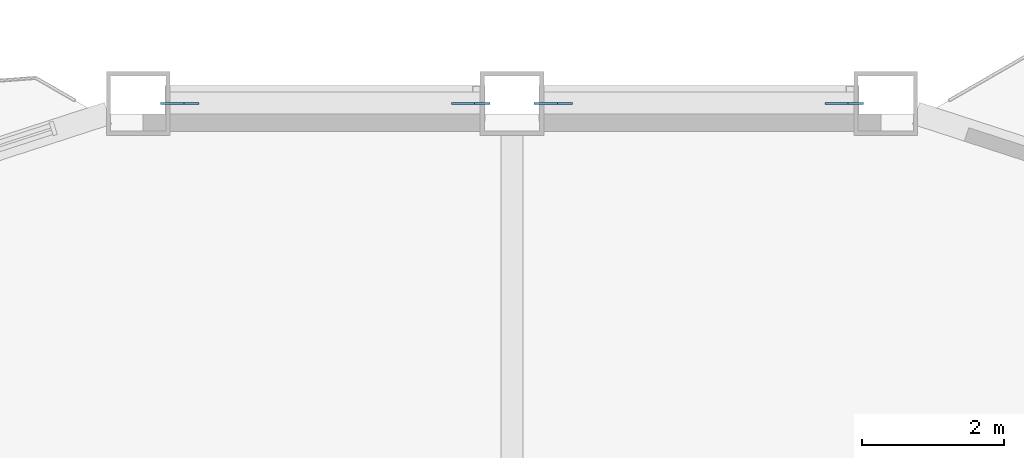
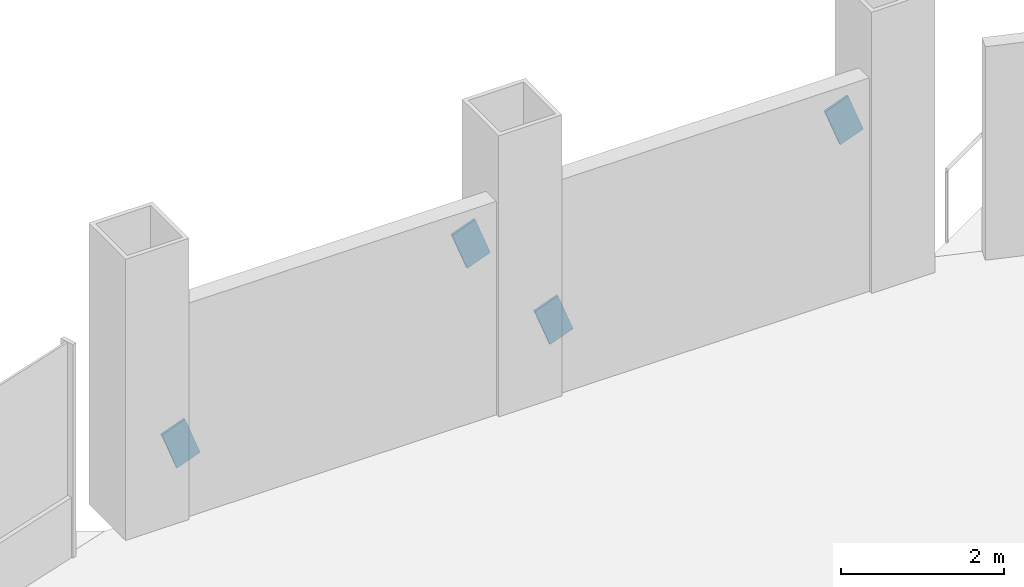
# One storey, part 16 of 21: 4 discrete accessories.
"""IFC4 building model written with IfcOpenShell, lengths in metres."""

from ifc_helpers import new_model, si_unit, direction, frame, origin, origin_2d, place, context, subcontext, project, spatial, rectangle, extrude, material, material_profile, profile_set, type_object, element, save


model = new_model("IFC4")

# Units and contexts
model_context = context("Model", 3, precision=1e-05, world=origin(), true_north=direction((0.0, 1.0)))
body_context = subcontext(model_context, "Body", "Model", "MODEL_VIEW")
ifc_project = project(units=[si_unit("LENGTHUNIT", "METRE"), si_unit("AREAUNIT", "SQUARE_METRE"), si_unit("VOLUMEUNIT", "CUBIC_METRE"), si_unit("PLANEANGLEUNIT", "RADIAN"), si_unit("MASSUNIT", "GRAM", prefix="KILO")], contexts=[model_context])

# Site, building, storey
site_placement = place(None, origin())
site = spatial("IfcSite", under=ifc_project, at=site_placement, CompositionType="ELEMENT")
building_placement = place(site_placement, origin())
building = spatial("IfcBuilding", under=site, at=building_placement, Name="Cormorant Prow Tower", CompositionType="ELEMENT")
storey_placement = place(building_placement, frame((0.0, 0.0, 120.60009765625)))
storey = spatial("IfcBuildingStorey", under=building, at=storey_placement, Name="L25", CompositionType="ELEMENT", Elevation=120.60009765625)

# Discrete accessories
ifc_material = material(Name="Structural steel ASTM A500 Gr C", Category="steel")
ifc_material_profile = material_profile(ifc_material, rectangle(XDim=0.031982421875, YDim=0.60791015625, at=origin_2d()), Name="Gusset plate 32x608")
ifc_profile_set = profile_set([ifc_material_profile], Name="Structural steel ASTM A500 Gr C")
discrete_accessory_type = type_object("IfcDiscreteAccessoryType", Name="Gusset plate 32x608", PredefinedType="BRACKET", material=ifc_profile_set)
discrete_accessory_1_placement = place(storey_placement, frame((0.74853515625, 32.487060546875, 0.88232421875), z_axis=(-0.935697286394, 0.0, -0.35280389487), x_axis=(0.0, -1.0, 0.0)))
element("IfcDiscreteAccessory", 1, at=discrete_accessory_1_placement, inside=storey, type_object=discrete_accessory_type, Name="Gusset plate GP1 L25.N00.g0", PredefinedType="BRACKET", context=body_context, shape_type="SweptSolid", body=[
    extrude(rectangle(XDim=0.031982421875, YDim=0.60791015625, at=origin_2d()), origin(), (0.0, 0.0, 1.0), 0.35009765625),
])
for number, where, z_axis, x_axis, name in (
    (2, (4.521240234375, 32.487060546875, 2.306396484375), (0.935610415408, 0.0, 0.353034205963), (0.0, 1.0, 0.0), "Gusset plate GP1 L25.N00.g1"),
    (3, (-4.521240234375, 32.487060546875, 0.88232421875), (-0.935610415408, 0.0, -0.353034205963), (0.0, -1.0, 0.0), "Gusset plate GP1 L25.N01.g0"),
):
    element("IfcDiscreteAccessory", number, at=place(storey_placement, frame(where, z_axis=z_axis, x_axis=x_axis)), inside=storey, type_object=discrete_accessory_type, Name=name, PredefinedType="BRACKET", context=body_context, shape_type="SweptSolid", body=[
        extrude(rectangle(XDim=0.031982421875, YDim=0.60791015625, at=origin_2d()), origin(), (0.0, 0.0, 1.0), 0.349853515625),
    ])
discrete_accessory_2_placement = place(storey_placement, frame((-0.74853515625, 32.487060546875, 2.306396484375), z_axis=(0.935697286394, 0.0, 0.35280389487), x_axis=(0.0, 1.0, 0.0)))
element("IfcDiscreteAccessory", 4, at=discrete_accessory_2_placement, inside=storey, type_object=discrete_accessory_type, Name="Gusset plate GP1 L25.N01.g1", PredefinedType="BRACKET", context=body_context, shape_type="SweptSolid", body=[
    extrude(rectangle(XDim=0.031982421875, YDim=0.60791015625, at=origin_2d()), origin(), (0.0, 0.0, 1.0), 0.35009765625),
])

save(model, "model.ifc")
